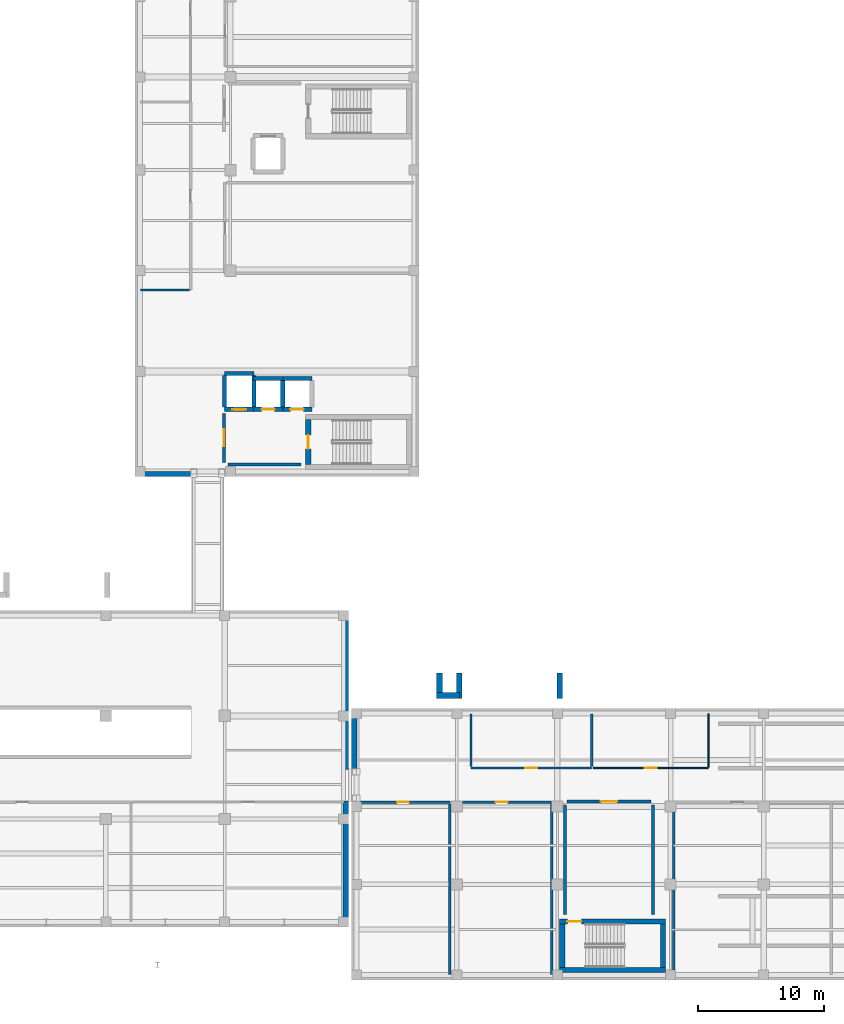
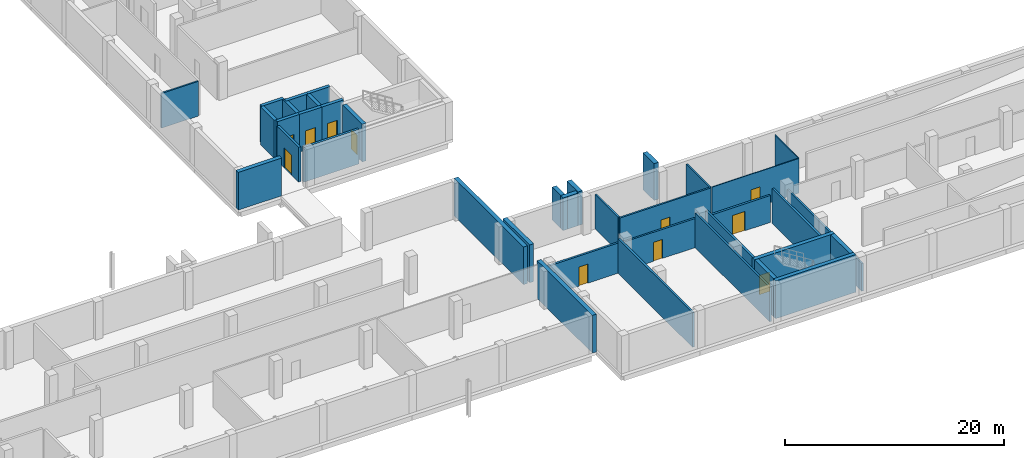
# One storey, part 18 of 31: 38 walls, 11 doors, 11 openings.
"""IFC4 building model written with IfcOpenShell, lengths in metres."""

from ifc_helpers import new_model, si_unit, direction, frame, frame_2d, origin, place, context, subcontext, project, spatial, rectangle, extrude, material, layer, layer_set, type_object, element, fill, save


model = new_model("IFC4")

# Units and contexts
model_context = context("Model", 3, precision=1e-05, world=origin(), true_north=direction((0.0, 1.0)))
body_context = subcontext(model_context, "Body", "Model", "MODEL_VIEW")
ifc_project = project(units=[si_unit("LENGTHUNIT", "METRE"), si_unit("AREAUNIT", "SQUARE_METRE"), si_unit("VOLUMEUNIT", "CUBIC_METRE"), si_unit("PLANEANGLEUNIT", "RADIAN"), si_unit("MASSUNIT", "GRAM", prefix="KILO")], contexts=[model_context])

# Site, building, storey
site_placement = place(None, origin())
site = spatial("IfcSite", under=ifc_project, at=site_placement, CompositionType="ELEMENT")
building_placement = place(site_placement, origin())
building = spatial("IfcBuilding", under=site, at=building_placement, Name="Qalavern Law Courts", CompositionType="ELEMENT")
storey_placement = place(building_placement, frame((0.0, 0.0, -4.199951171875)))
storey = spatial("IfcBuildingStorey", under=building, at=storey_placement, Name="B1", CompositionType="ELEMENT", Elevation=-4.199951171875)

# Walls
ifc_material_1 = material(Name="Concrete C35/45", Category="concrete")
ifc_layer_1 = layer(ifc_material_1, 0.429931640625)
ifc_layer_set_1 = layer_set([ifc_layer_1], Name="Concrete C35/45")
wall_type_1 = type_object("IfcWallType", Name="ENV-EW-RET430", PredefinedType="SOLIDWALL", material=ifc_layer_set_1)
wall_1_placement = place(storey_placement, frame((100.985107421875, 5.199951171875, 0.0), z_axis=(0.0, 0.0, 1.0), x_axis=(0.0, 1.0, 0.0)))
element("IfcWall", 1, at=wall_1_placement, inside=storey, type_object=wall_type_1, Name="V2 basement retaining wall B1 east", PredefinedType="SOLIDWALL", context=body_context, shape_type="SweptSolid", body=[
    extrude(rectangle(XDim=10.050048828125, YDim=0.429931640625, at=frame_2d((5.02490234375, 0.0))), origin(), (0.0, 0.0, 1.0), 4.199951171875),
])
wall_2_placement = place(storey_placement, frame((100.985107421875, 17.75, 0.0), z_axis=(0.0, 0.0, 1.0), x_axis=(0.0, 1.0, 0.0)))
element("IfcWall", 2, at=wall_2_placement, inside=storey, type_object=wall_type_1, Name="V2 basement retaining wall B1 east", PredefinedType="SOLIDWALL", context=body_context, shape_type="SweptSolid", body=[
    extrude(rectangle(XDim=12.64990234375, YDim=0.429931640625, at=frame_2d((6.324951171875, 0.0))), origin(), (0.0, 0.0, 1.0), 4.199951171875),
])
wall_3_placement = place(storey_placement, frame((84.199951171875, 41.235107421875, 0.0), z_axis=(0.0, 0.0, 1.0), x_axis=(1.0, 0.0, 0.0)))
element("IfcWall", 3, at=wall_3_placement, inside=storey, type_object=wall_type_1, Name="V4 basement retaining wall B1 south", PredefinedType="SOLIDWALL", context=body_context, shape_type="SweptSolid", body=[
    extrude(rectangle(XDim=4.550048828125, YDim=0.429931640625, at=frame_2d((2.27490234375, 0.0))), origin(), (0.0, 0.0, 1.0), 4.199951171875),
])
wall_4_placement = place(storey_placement, frame((101.635009765625, 22.60009765625, 0.0), z_axis=(0.0, 0.0, 1.0), x_axis=(0.0, -1.0, 0.0)))
element("IfcWall", 4, at=wall_4_placement, inside=storey, type_object=wall_type_1, Name="V6 basement retaining wall B1 west", PredefinedType="SOLIDWALL", context=body_context, shape_type="SweptSolid", body=[
    extrude(rectangle(XDim=4.85009765625, YDim=0.429931640625, at=frame_2d((2.425048828125, 0.0))), origin(), (0.0, 0.0, 1.0), 4.199951171875),
])

# Wall, opening, door
ifc_material_2 = material(Name="Concrete C45/55", Category="concrete")
ifc_layer_2 = layer(ifc_material_2, 0.4150390625)
ifc_layer_set_2 = layer_set([ifc_layer_2], Name="Concrete C45/55")
wall_type_2 = type_object("IfcWallType", Name="INT-CW-415", PredefinedType="SHEAR", material=ifc_layer_set_2)
wall_5_placement = place(storey_placement, frame((97.992431640625, 45.550048828125, 0.0), z_axis=(0.0, 0.0, 1.0), x_axis=(0.0, -1.0, 0.0)))
wall_5 = element("IfcWall", 5, at=wall_5_placement, inside=storey, type_object=wall_type_2, Name="Core K1A stair shear wall B1 west", PredefinedType="SHEAR", context=body_context, shape_type="SweptSolid", body=[
    extrude(rectangle(XDim=3.550048828125, YDim=0.4150390625, at=frame_2d((1.77490234375, 0.0))), origin(), (0.0, 0.0, 1.0), 4.199951171875),
])
opening_1_placement = place(wall_5_placement, frame((1.22509765625, 0.0, 0.0)))
opening_1 = element("IfcOpeningElement", 6, at=opening_1_placement, cuts=wall_5, Name="Opening B1-D003", PredefinedType="OPENING", context=body_context, shape_type="SweptSolid", body=[
    extrude(rectangle(XDim=1.10009765625, YDim=2.14990234375, at=frame_2d((0.550048828125, 1.074951171875))), frame((0.0, 0.222412109375, 0.0), z_axis=(0.0, -1.0, 0.0), x_axis=(1.0, 0.0, 0.0)), (0.0, 0.0, 1.0), 0.44482421875),
])
ifc_material_3 = material(Name="Steel fire-rated stair enclosure door", Category="steel")
door_type_1 = type_object("IfcDoorType", Name="INT-FD-1100x2150", OperationType="NOTDEFINED", PredefinedType="DOOR", material=ifc_material_3)
door_1_placement = place(opening_1_placement, frame((1.10009765625, 0.0, 0.0), z_axis=(0.0, 0.0, 1.0), x_axis=(-1.0, 0.0, 0.0)))
door_1 = element("IfcDoor", 7, at=door_1_placement, inside=storey, type_object=door_type_1, Name="Stair K1A fire door B1", OperationType="SINGLE_SWING_RIGHT", OverallHeight=2.14990234375, OverallWidth=1.10009765625, PredefinedType="DOOR", context=body_context, shape_type="SweptSolid", body=[
    extrude(rectangle(XDim=1.10009765625, YDim=2.14990234375, at=frame_2d((0.550048828125, 1.074951171875))), frame((0.0, 0.02490234375, 0.0), z_axis=(0.0, -1.0, 0.0), x_axis=(1.0, 0.0, 0.0)), (0.0, 0.0, 1.0), 0.050048828125),
])
fill(opening_1, door_1)

# Walls
wall_6_placement = place(storey_placement, frame((117.985107421875, 1.79248046875, 0.0), z_axis=(0.0, 0.0, 1.0), x_axis=(1.0, 0.0, 0.0)))
element("IfcWall", 8, at=wall_6_placement, inside=storey, type_object=wall_type_2, Name="Core K5 stair shear wall B1 south", PredefinedType="SHEAR", context=body_context, shape_type="SweptSolid", body=[
    extrude(rectangle(XDim=8.429931640625, YDim=0.4150390625, at=frame_2d((4.21484375, 0.0))), origin(), (0.0, 0.0, 1.0), 4.199951171875),
])
wall_7_placement = place(storey_placement, frame((126.20751953125, 2.0, 0.0), z_axis=(0.0, 0.0, 1.0), x_axis=(0.0, 1.0, 0.0)))
element("IfcWall", 9, at=wall_7_placement, inside=storey, type_object=wall_type_2, Name="Core K5 stair shear wall B1 east", PredefinedType="SHEAR", context=body_context, shape_type="SweptSolid", body=[
    extrude(rectangle(XDim=3.449951171875, YDim=0.4150390625, at=frame_2d((1.72509765625, 0.0))), origin(), (0.0, 0.0, 1.0), 4.199951171875),
])

# Wall, opening, door
wall_8_placement = place(storey_placement, frame((126.4150390625, 5.657470703125, 0.0), z_axis=(0.0, 0.0, 1.0), x_axis=(-1.0, 0.0, 0.0)))
wall_8 = element("IfcWall", 10, at=wall_8_placement, inside=storey, type_object=wall_type_2, Name="Core K5 stair shear wall B1 north", PredefinedType="SHEAR", context=body_context, shape_type="SweptSolid", body=[
    extrude(rectangle(XDim=8.429931640625, YDim=0.4150390625, at=frame_2d((4.21484375, 0.0))), origin(), (0.0, 0.0, 1.0), 4.199951171875),
])
opening_2_placement = place(wall_8_placement, frame((6.715087890625, 0.0, 0.0)))
opening_2 = element("IfcOpeningElement", 11, at=opening_2_placement, cuts=wall_8, Name="Opening B1-D103", PredefinedType="OPENING", context=body_context, shape_type="SweptSolid", body=[
    extrude(rectangle(XDim=1.10009765625, YDim=2.14990234375, at=frame_2d((0.550048828125, 1.074951171875))), frame((0.0, 0.222412109375, 0.0), z_axis=(0.0, -1.0, 0.0), x_axis=(1.0, 0.0, 0.0)), (0.0, 0.0, 1.0), 0.44482421875),
])
door_2_placement = place(opening_2_placement, frame((1.10009765625, 0.0, 0.0), z_axis=(0.0, 0.0, 1.0), x_axis=(-1.0, 0.0, 0.0)))
door_2 = element("IfcDoor", 12, at=door_2_placement, inside=storey, type_object=door_type_1, Name="Stair K5 fire door B1", OperationType="SINGLE_SWING_RIGHT", OverallHeight=2.14990234375, OverallWidth=1.10009765625, PredefinedType="DOOR", context=body_context, shape_type="SweptSolid", body=[
    extrude(rectangle(XDim=1.10009765625, YDim=2.14990234375, at=frame_2d((0.550048828125, 1.074951171875))), frame((0.0, 0.02490234375, 0.0), z_axis=(0.0, -1.0, 0.0), x_axis=(1.0, 0.0, 0.0)), (0.0, 0.0, 1.0), 0.050048828125),
])
fill(opening_2, door_2)

# Wall
wall_9_placement = place(storey_placement, frame((118.1923828125, 5.449951171875, 0.0), z_axis=(0.0, 0.0, 1.0), x_axis=(0.0, -1.0, 0.0)))
element("IfcWall", 13, at=wall_9_placement, inside=storey, type_object=wall_type_2, Name="Core K5 stair shear wall B1 west", PredefinedType="SHEAR", context=body_context, shape_type="SweptSolid", body=[
    extrude(rectangle(XDim=3.449951171875, YDim=0.4150390625, at=frame_2d((1.72509765625, 0.0))), origin(), (0.0, 0.0, 1.0), 4.199951171875),
])

# Wall, opening, door
ifc_material_4 = material(Name="Concrete C40/50", Category="concrete")
ifc_layer_3 = layer(ifc_material_4, 0.22509765625)
ifc_layer_set_3 = layer_set([ifc_layer_3], Name="Concrete C40/50")
wall_type_3 = type_object("IfcWallType", Name="INT-FW-225", PredefinedType="PARTITIONING", material=ifc_layer_set_3)
wall_10_placement = place(storey_placement, frame((118.550048828125, 15.199951171875, 0.0), z_axis=(0.0, 0.0, 1.0), x_axis=(1.0, 0.0, 0.0)))
wall_10 = element("IfcWall", 14, at=wall_10_placement, inside=storey, type_object=wall_type_3, Name="Core K5 firefighting/stair lobby fire wall B1", PredefinedType="PARTITIONING", context=body_context, shape_type="SweptSolid", body=[
    extrude(rectangle(XDim=6.699951171875, YDim=0.22509765625, at=frame_2d((3.35009765625, 0.0))), origin(), (0.0, 0.0, 1.0), 2.989990234375),
])
opening_3_placement = place(wall_10_placement, frame((2.699951171875, 0.0, 0.0)))
opening_3 = element("IfcOpeningElement", 15, at=opening_3_placement, cuts=wall_10, Name="Opening B1-D104", PredefinedType="OPENING", context=body_context, shape_type="SweptSolid", body=[
    extrude(rectangle(XDim=1.300048828125, YDim=2.14990234375, at=frame_2d((0.64990234375, 1.074951171875))), frame((0.0, 0.12744140625, 0.0), z_axis=(0.0, -1.0, 0.0), x_axis=(1.0, 0.0, 0.0)), (0.0, 0.0, 1.0), 0.2548828125),
])
ifc_material_5 = material(Name="Steel fire-rated frame and acoustic timber leaves", Category="steel")
door_type_2 = type_object("IfcDoorType", Name="INT-FD-1300x2150", OperationType="DOUBLE_DOOR_SINGLE_SWING", PredefinedType="DOOR", material=ifc_material_5)
door_3_placement = place(opening_3_placement, origin())
door_3 = element("IfcDoor", 16, at=door_3_placement, inside=storey, type_object=door_type_2, Name="Core K5 lobby fire door B1", OperationType="DOUBLE_DOOR_SINGLE_SWING", OverallHeight=2.14990234375, OverallWidth=1.300048828125, PredefinedType="DOOR", context=body_context, shape_type="SweptSolid", body=[
    extrude(rectangle(XDim=1.300048828125, YDim=2.14990234375, at=frame_2d((0.64990234375, 1.074951171875))), frame((0.0, 0.02490234375, 0.0), z_axis=(0.0, -1.0, 0.0), x_axis=(1.0, 0.0, 0.0)), (0.0, 0.0, 1.0), 0.050048828125),
])
fill(opening_3, door_3)

# Walls
for number, where, z_axis, x_axis, name in (
    (17, (118.39990234375, 6.199951171875, 0.0), (0.0, 0.0, 1.0), (0.0, 1.0, 0.0), "Core K5 lobby return wall B1 west"),
    (18, (125.39990234375, 6.199951171875, 0.0), (0.0, 0.0, 1.0), (0.0, 1.0, 0.0), "Core K5 lobby return wall B1 east"),
):
    element("IfcWall", number, at=place(storey_placement, frame(where, z_axis=z_axis, x_axis=x_axis)), inside=storey, type_object=wall_type_3, Name=name, PredefinedType="PARTITIONING", context=body_context, shape_type="SweptSolid", body=[
        extrude(rectangle(XDim=8.699951171875, YDim=0.22509765625, at=frame_2d((4.35009765625, 0.0))), origin(), (0.0, 0.0, 1.0), 3.85986328125),
    ])

# Wall, opening, door
ifc_layer_4 = layer(ifc_material_4, 0.2451171875)
ifc_layer_set_4 = layer_set([ifc_layer_4], Name="Concrete C40/50")
wall_type_4 = type_object("IfcWallType", Name="INT-FW-245", PredefinedType="PARTITIONING", material=ifc_layer_set_4)
wall_11_placement = place(storey_placement, frame((91.300048828125, 42.14990234375, 0.0), z_axis=(0.0, 0.0, 1.0), x_axis=(0.0, 1.0, 0.0)))
wall_11 = element("IfcWall", 19, at=wall_11_placement, inside=storey, type_object=wall_type_4, Name="Core K1A firefighting/stair lobby fire wall B1", PredefinedType="PARTITIONING", context=body_context, shape_type="SweptSolid", body=[
    extrude(rectangle(XDim=3.900146484375, YDim=0.2451171875, at=frame_2d((1.9501953125, 0.0))), origin(), (0.0, 0.0, 1.0), 3.85986328125),
])
opening_4_placement = place(wall_11_placement, frame((1.27490234375, 0.0, 0.0)))
opening_4 = element("IfcOpeningElement", 20, at=opening_4_placement, cuts=wall_11, Name="Opening B1-D004", PredefinedType="OPENING", context=body_context, shape_type="SweptSolid", body=[
    extrude(rectangle(XDim=1.35009765625, YDim=2.199951171875, at=frame_2d((0.675048828125, 1.10009765625))), frame((0.0, 0.137451171875, 0.0), z_axis=(0.0, -1.0, 0.0), x_axis=(1.0, 0.0, 0.0)), (0.0, 0.0, 1.0), 0.27490234375),
])
door_type_3 = type_object("IfcDoorType", Name="INT-FD-1350x2200", OperationType="DOUBLE_DOOR_SINGLE_SWING", PredefinedType="DOOR", material=ifc_material_5)
door_4_placement = place(opening_4_placement, origin())
door_4 = element("IfcDoor", 21, at=door_4_placement, inside=storey, type_object=door_type_3, Name="Core K1A lobby fire door B1", OperationType="DOUBLE_DOOR_SINGLE_SWING", OverallHeight=2.199951171875, OverallWidth=1.35009765625, PredefinedType="DOOR", context=body_context, shape_type="SweptSolid", body=[
    extrude(rectangle(XDim=1.35009765625, YDim=2.199951171875, at=frame_2d((0.675048828125, 1.10009765625))), frame((0.0, 0.02490234375, 0.0), z_axis=(0.0, -1.0, 0.0), x_axis=(1.0, 0.0, 0.0)), (0.0, 0.0, 1.0), 0.050048828125),
])
fill(opening_4, door_4)

# Wall
wall_12_placement = place(storey_placement, frame((91.60009765625, 42.0, 0.0), z_axis=(0.0, 0.0, 1.0), x_axis=(1.0, 0.0, 0.0)))
element("IfcWall", 22, at=wall_12_placement, inside=storey, type_object=wall_type_4, Name="Core K1A lobby return wall B1 south", PredefinedType="PARTITIONING", context=body_context, shape_type="SweptSolid", body=[
    extrude(rectangle(XDim=5.7998046875, YDim=0.2451171875, at=frame_2d((2.89990234375, 0.0))), origin(), (0.0, 0.0, 1.0), 3.85986328125),
])

# Wall, opening, door
ifc_material_6 = material(Name="Gypsum shaft/chase partition")
ifc_layer_5 = layer(ifc_material_6, 0.092041015625)
ifc_layer_set_5 = layer_set([ifc_layer_5], Name="Gypsum shaft/chase partition")
wall_type_5 = type_object("IfcWallType", Name="INT-PW-092", PredefinedType="PARTITIONING", material=ifc_layer_set_5)
wall_13_placement = place(storey_placement, frame((120.65087890625, 17.860107421875, 0.0), z_axis=(0.0, 0.0, 1.0), x_axis=(1.0, 0.0, 0.0)))
wall_13 = element("IfcWall", 23, at=wall_13_placement, inside=storey, type_object=wall_type_5, Name="Custody Reception and Holding Cell corridor partition B1", PredefinedType="PARTITIONING", context=body_context, shape_type="SweptSolid", body=[
    extrude(rectangle(XDim=9.1591796875, YDim=0.092041015625, at=frame_2d((4.57958984375, 0.0))), origin(), (0.0, 0.0, 1.0), 3.85986328125),
])
opening_5_placement = place(wall_13_placement, frame((4.1044921875, 0.0, 0.0)))
opening_5 = element("IfcOpeningElement", 24, at=opening_5_placement, cuts=wall_13, Name="Opening B1-D410", PredefinedType="OPENING", context=body_context, shape_type="SweptSolid", body=[
    extrude(rectangle(XDim=0.949951171875, YDim=2.1201171875, at=frame_2d((0.47509765625, 1.06005859375))), frame((0.0, 0.06103515625, 0.0), z_axis=(0.0, -1.0, 0.0), x_axis=(1.0, 0.0, 0.0)), (0.0, 0.0, 1.0), 0.121826171875),
])
ifc_material_7 = material(Name="Heavy steel Custody Holding Cell door", Category="steel")
door_type_4 = type_object("IfcDoorType", Name="INT-ID-950x2120", OperationType="NOTDEFINED", PredefinedType="DOOR", material=ifc_material_7)
door_5_placement = place(opening_5_placement, origin())
door_5 = element("IfcDoor", 25, at=door_5_placement, inside=storey, type_object=door_type_4, Name="Custody Reception and Holding Cell door B1", OperationType="SINGLE_SWING_LEFT", OverallHeight=2.1201171875, OverallWidth=0.949951171875, PredefinedType="DOOR", context=body_context, shape_type="SweptSolid", body=[
    extrude(rectangle(XDim=0.949951171875, YDim=2.1201171875, at=frame_2d((0.47509765625, 1.06005859375))), frame((0.0, 0.02490234375, 0.0), z_axis=(0.0, -1.0, 0.0), x_axis=(1.0, 0.0, 0.0)), (0.0, 0.0, 1.0), 0.050048828125),
])
fill(opening_5, door_5)

# Walls
wall_14_placement = place(storey_placement, frame((129.81005859375, 17.926025390625, 0.0), z_axis=(0.0, 0.0, 1.0), x_axis=(0.0, 1.0, 0.0)))
element("IfcWall", 26, at=wall_14_placement, inside=storey, type_object=wall_type_5, Name="Custody Reception and Holding Cell cross partition B1 east", PredefinedType="PARTITIONING", context=body_context, shape_type="SweptSolid", body=[
    extrude(rectangle(XDim=4.23388671875, YDim=0.092041015625, at=frame_2d((2.116943359375, 0.0))), origin(), (0.0, 0.0, 1.0), 3.85986328125),
])
ifc_material_8 = material(Name="Gypsum acoustic stud partition")
ifc_layer_6 = layer(ifc_material_8, 0.174072265625)
ifc_layer_set_6 = layer_set([ifc_layer_6], Name="Gypsum acoustic stud partition")
wall_type_6 = type_object("IfcWallType", Name="INT-PW-174", PredefinedType="PARTITIONING", material=ifc_layer_set_6)
wall_15_placement = place(storey_placement, frame((84.639892578125, 55.8779296875, 0.0), z_axis=(0.0, 0.0, 1.0), x_axis=(1.0, 0.0, 0.0)))
element("IfcWall", 27, at=wall_15_placement, inside=storey, type_object=wall_type_6, Name="Commercial Registry Archives cross partition B1 south", PredefinedType="PARTITIONING", context=body_context, shape_type="SweptSolid", body=[
    extrude(rectangle(XDim=3.89306640625, YDim=0.174072265625, at=frame_2d((1.946533203125, 0.0))), origin(), (0.0, 0.0, 1.0), 3.85986328125),
])

# Wall, opening, door
wall_16_placement = place(storey_placement, frame((110.94189453125, 17.860107421875, 0.0), z_axis=(0.0, 0.0, 1.0), x_axis=(1.0, 0.0, 0.0)))
wall_16 = element("IfcWall", 28, at=wall_16_placement, inside=storey, type_object=wall_type_6, Name="Secure Sallyport Dock corridor partition B1", PredefinedType="PARTITIONING", context=body_context, shape_type="SweptSolid", body=[
    extrude(rectangle(XDim=9.589111328125, YDim=0.174072265625, at=frame_2d((4.79443359375, 0.0))), origin(), (0.0, 0.0, 1.0), 3.85986328125),
])
opening_6_placement = place(wall_16_placement, frame((4.319580078125, 0.0, 0.0)))
opening_6 = element("IfcOpeningElement", 29, at=opening_6_placement, cuts=wall_16, Name="Opening B1-D409", PredefinedType="OPENING", context=body_context, shape_type="SweptSolid", body=[
    extrude(rectangle(XDim=0.949951171875, YDim=2.1201171875, at=frame_2d((0.47509765625, 1.06005859375))), frame((0.0, 0.10205078125, 0.0), z_axis=(0.0, -1.0, 0.0), x_axis=(1.0, 0.0, 0.0)), (0.0, 0.0, 1.0), 0.203857421875),
])
door_6_placement = place(opening_6_placement, origin())
door_6 = element("IfcDoor", 30, at=door_6_placement, inside=storey, type_object=door_type_4, Name="Secure Sallyport Dock door B1", OperationType="SINGLE_SWING_RIGHT", OverallHeight=2.1201171875, OverallWidth=0.949951171875, PredefinedType="DOOR", context=body_context, shape_type="SweptSolid", body=[
    extrude(rectangle(XDim=0.949951171875, YDim=2.1201171875, at=frame_2d((0.47509765625, 1.06005859375))), frame((0.0, 0.02490234375, 0.0), z_axis=(0.0, -1.0, 0.0), x_axis=(1.0, 0.0, 0.0)), (0.0, 0.0, 1.0), 0.050048828125),
])
fill(opening_6, door_6)

# Walls
for number, where, z_axis, x_axis, name in (
    (31, (110.94189453125, 17.967041015625, 0.0), (0.0, 0.0, 1.0), (0.0, 1.0, 0.0), "Secure Sallyport Dock cross partition B1 west"),
    (32, (120.531005859375, 17.967041015625, 0.0), (0.0, 0.0, 1.0), (0.0, 1.0, 0.0), "Secure Sallyport Dock cross partition B1 east"),
):
    element("IfcWall", number, at=place(storey_placement, frame(where, z_axis=z_axis, x_axis=x_axis)), inside=storey, type_object=wall_type_6, Name=name, PredefinedType="PARTITIONING", context=body_context, shape_type="SweptSolid", body=[
        extrude(rectangle(XDim=4.19287109375, YDim=0.174072265625, at=frame_2d((2.096435546875, 0.0))), origin(), (0.0, 0.0, 1.0), 3.85986328125),
    ])
ifc_layer_7 = layer(ifc_material_8, 0.18603515625)
ifc_layer_set_7 = layer_set([ifc_layer_7], Name="Gypsum acoustic stud partition")
wall_type_7 = type_object("IfcWallType", Name="INT-PW-186", PredefinedType="PARTITIONING", material=ifc_layer_set_7)
wall_17_placement = place(storey_placement, frame((127.0400390625, 1.43994140625, 0.0), z_axis=(0.0, 0.0, 1.0), x_axis=(0.0, 1.0, 0.0)))
element("IfcWall", 33, at=wall_17_placement, inside=storey, type_object=wall_type_7, Name="Secure Sallyport Dock cross partition B1 west", PredefinedType="PARTITIONING", context=body_context, shape_type="SweptSolid", body=[
    extrude(rectangle(XDim=13.587158203125, YDim=0.18603515625, at=frame_2d((6.79345703125, 0.0))), origin(), (0.0, 0.0, 1.0), 3.08984375),
])

# Wall, opening, door
ifc_material_9 = material(Name="Gypsum acoustic double-stud partition")
ifc_layer_8 = layer(ifc_material_9, 0.197998046875)
ifc_layer_set_8 = layer_set([ifc_layer_8], Name="Gypsum acoustic double-stud partition")
wall_type_8 = type_object("IfcWallType", Name="INT-PW-198", PredefinedType="PARTITIONING", material=ifc_layer_set_8)
wall_18_placement = place(storey_placement, frame((109.364990234375, 15.139892578125, 0.0), z_axis=(0.0, 0.0, 1.0), x_axis=(1.0, 0.0, 0.0)))
wall_18 = element("IfcWall", 34, at=wall_18_placement, inside=storey, type_object=wall_type_8, Name="Custody Reception and Holding Cell corridor partition B1", PredefinedType="PARTITIONING", context=body_context, shape_type="SweptSolid", body=[
    extrude(rectangle(XDim=7.9951171875, YDim=0.197998046875, at=frame_2d((3.99755859375, 0.0))), origin(), (0.0, 0.0, 1.0), 3.239990234375),
])
opening_7_placement = place(wall_18_placement, frame((3.5224609375, 0.0, 0.0)))
opening_7 = element("IfcOpeningElement", 35, at=opening_7_placement, cuts=wall_18, Name="Opening B1-D408", PredefinedType="OPENING", context=body_context, shape_type="SweptSolid", body=[
    extrude(rectangle(XDim=0.949951171875, YDim=2.1201171875, at=frame_2d((0.47509765625, 1.06005859375))), frame((0.0, 0.11376953125, 0.0), z_axis=(0.0, -1.0, 0.0), x_axis=(1.0, 0.0, 0.0)), (0.0, 0.0, 1.0), 0.227783203125),
])
door_7_placement = place(opening_7_placement, frame((0.949951171875, 0.0, 0.0), z_axis=(0.0, 0.0, 1.0), x_axis=(-1.0, 0.0, 0.0)))
door_7 = element("IfcDoor", 36, at=door_7_placement, inside=storey, type_object=door_type_4, Name="Custody Reception and Holding Cell door B1", OperationType="SINGLE_SWING_LEFT", OverallHeight=2.1201171875, OverallWidth=0.949951171875, PredefinedType="DOOR", context=body_context, shape_type="SweptSolid", body=[
    extrude(rectangle(XDim=0.949951171875, YDim=2.1201171875, at=frame_2d((0.47509765625, 1.06005859375))), frame((0.0, 0.02490234375, 0.0), z_axis=(0.0, -1.0, 0.0), x_axis=(1.0, 0.0, 0.0)), (0.0, 0.0, 1.0), 0.050048828125),
])
fill(opening_7, door_7)

# Wall
wall_19_placement = place(storey_placement, frame((117.360107421875, 1.43994140625, 0.0), z_axis=(0.0, 0.0, 1.0), x_axis=(0.0, 1.0, 0.0)))
element("IfcWall", 37, at=wall_19_placement, inside=storey, type_object=wall_type_8, Name="Custody Reception and Holding Cell cross partition B1 east", PredefinedType="PARTITIONING", context=body_context, shape_type="SweptSolid", body=[
    extrude(rectangle(XDim=13.5810546875, YDim=0.197998046875, at=frame_2d((6.79052734375, 0.0))), origin(), (0.0, 0.0, 1.0), 3.85986328125),
])

# Wall, opening, door
ifc_layer_9 = layer(ifc_material_9, 0.2119140625)
ifc_layer_set_9 = layer_set([ifc_layer_9], Name="Gypsum acoustic double-stud partition")
wall_type_9 = type_object("IfcWallType", Name="INT-PW-212", PredefinedType="PARTITIONING", material=ifc_layer_set_9)
wall_20_placement = place(storey_placement, frame((101.800048828125, 15.139892578125, 0.0), z_axis=(0.0, 0.0, 1.0), x_axis=(1.0, 0.0, 0.0)))
wall_20 = element("IfcWall", 38, at=wall_20_placement, inside=storey, type_object=wall_type_9, Name="Secure Sallyport Dock corridor partition B1", PredefinedType="PARTITIONING", context=body_context, shape_type="SweptSolid", body=[
    extrude(rectangle(XDim=7.445068359375, YDim=0.2119140625, at=frame_2d((3.72265625, 0.0))), origin(), (0.0, 0.0, 1.0), 3.349853515625),
])
opening_8_placement = place(wall_20_placement, frame((3.24755859375, 0.0, 0.0)))
opening_8 = element("IfcOpeningElement", 39, at=opening_8_placement, cuts=wall_20, Name="Opening B1-D407", PredefinedType="OPENING", context=body_context, shape_type="SweptSolid", body=[
    extrude(rectangle(XDim=0.949951171875, YDim=2.1201171875, at=frame_2d((0.47509765625, 1.06005859375))), frame((0.0, 0.120849609375, 0.0), z_axis=(0.0, -1.0, 0.0), x_axis=(1.0, 0.0, 0.0)), (0.0, 0.0, 1.0), 0.24169921875),
])
door_8_placement = place(opening_8_placement, frame((0.949951171875, 0.0, 0.0), z_axis=(0.0, 0.0, 1.0), x_axis=(-1.0, 0.0, 0.0)))
door_8 = element("IfcDoor", 40, at=door_8_placement, inside=storey, type_object=door_type_4, Name="Secure Sallyport Dock door B1", OperationType="SINGLE_SWING_RIGHT", OverallHeight=2.1201171875, OverallWidth=0.949951171875, PredefinedType="DOOR", context=body_context, shape_type="SweptSolid", body=[
    extrude(rectangle(XDim=0.949951171875, YDim=2.1201171875, at=frame_2d((0.47509765625, 1.06005859375))), frame((0.0, 0.02490234375, 0.0), z_axis=(0.0, -1.0, 0.0), x_axis=(1.0, 0.0, 0.0)), (0.0, 0.0, 1.0), 0.050048828125),
])
fill(opening_8, door_8)

# Wall
wall_21_placement = place(storey_placement, frame((109.2451171875, 1.43994140625, 0.0), z_axis=(0.0, 0.0, 1.0), x_axis=(0.0, 1.0, 0.0)))
element("IfcWall", 41, at=wall_21_placement, inside=storey, type_object=wall_type_9, Name="Secure Sallyport Dock cross partition B1 east", PredefinedType="PARTITIONING", context=body_context, shape_type="SweptSolid", body=[
    extrude(rectangle(XDim=13.573974609375, YDim=0.2119140625, at=frame_2d((6.787109375, 0.0))), origin(), (0.0, 0.0, 1.0), 3.85986328125),
])

# Wall, opening, door
ifc_layer_10 = layer(ifc_material_2, 0.344970703125)
ifc_layer_set_10 = layer_set([ifc_layer_10], Name="Concrete C45/55")
wall_type_10 = type_object("IfcWallType", Name="INT-SW-345", PredefinedType="SHEAR", material=ifc_layer_set_10)
wall_22_placement = place(storey_placement, frame((91.327392578125, 46.37744140625, 0.0), z_axis=(0.0, 0.0, 1.0), x_axis=(1.0, 0.0, 0.0)))
wall_22 = element("IfcWall", 42, at=wall_22_placement, inside=storey, type_object=wall_type_10, Name="Lift LF-FF1 shaft wall B1 south", PredefinedType="SHEAR", context=body_context, shape_type="SweptSolid", body=[
    extrude(rectangle(XDim=2.34521484375, YDim=0.344970703125, at=frame_2d((1.172607421875, 0.0))), origin(), (0.0, 0.0, 1.0), 4.199951171875),
])
opening_9_placement = place(wall_22_placement, frame((0.62255859375, 0.0, 0.0)))
opening_9 = element("IfcOpeningElement", 43, at=opening_9_placement, cuts=wall_22, Name="Opening LD-LF-FF1-B1", PredefinedType="OPENING", context=body_context, shape_type="SweptSolid", body=[
    extrude(rectangle(XDim=1.10009765625, YDim=2.159912109375, at=frame_2d((0.550048828125, 1.080078125))), frame((0.0, 0.1875, 0.0), z_axis=(0.0, -1.0, 0.0), x_axis=(1.0, 0.0, 0.0)), (0.0, 0.0, 1.0), 0.374755859375),
])
ifc_material_10 = material(Name="Stainless steel firefighting lift sliding landing door", Category="steel")
door_type_5 = type_object("IfcDoorType", Name="INT-LD-1100x2160", OperationType="DOUBLE_DOOR_SLIDING", PredefinedType="DOOR", material=ifc_material_10)
door_9_placement = place(opening_9_placement, origin())
door_9 = element("IfcDoor", 44, at=door_9_placement, inside=storey, type_object=door_type_5, Name="Lift LF-FF1 sliding landing door B1", OperationType="DOUBLE_DOOR_SLIDING", OverallHeight=2.159912109375, OverallWidth=1.10009765625, PredefinedType="DOOR", context=body_context, shape_type="SweptSolid", body=[
    extrude(rectangle(XDim=1.10009765625, YDim=2.159912109375, at=frame_2d((0.550048828125, 1.080078125))), frame((0.0, 0.02490234375, 0.0), z_axis=(0.0, -1.0, 0.0), x_axis=(1.0, 0.0, 0.0)), (0.0, 0.0, 1.0), 0.050048828125),
])
fill(opening_9, door_9)

# Walls
wall_23_placement = place(storey_placement, frame((93.672607421875, 46.550048828125, 0.0), z_axis=(0.0, 0.0, 1.0), x_axis=(0.0, 1.0, 0.0)))
element("IfcWall", 45, at=wall_23_placement, inside=storey, type_object=wall_type_10, Name="Lift LF-FF1 shaft wall B1 east", PredefinedType="SHEAR", context=body_context, shape_type="SweptSolid", body=[
    extrude(rectangle(XDim=2.5, YDim=0.344970703125, at=frame_2d((1.25, 0.0))), origin(), (0.0, 0.0, 1.0), 4.199951171875),
])
wall_24_placement = place(storey_placement, frame((93.672607421875, 49.222412109375, 0.0), z_axis=(0.0, 0.0, 1.0), x_axis=(-1.0, 0.0, 0.0)))
element("IfcWall", 46, at=wall_24_placement, inside=storey, type_object=wall_type_10, Name="Lift LF-FF1 shaft wall B1 north", PredefinedType="SHEAR", context=body_context, shape_type="SweptSolid", body=[
    extrude(rectangle(XDim=2.34521484375, YDim=0.344970703125, at=frame_2d((1.172607421875, 0.0))), origin(), (0.0, 0.0, 1.0), 4.199951171875),
])
wall_25_placement = place(storey_placement, frame((91.327392578125, 49.050048828125, 0.0), z_axis=(0.0, 0.0, 1.0), x_axis=(0.0, -1.0, 0.0)))
element("IfcWall", 47, at=wall_25_placement, inside=storey, type_object=wall_type_10, Name="Lift LF-FF1 shaft wall B1 west", PredefinedType="SHEAR", context=body_context, shape_type="SweptSolid", body=[
    extrude(rectangle(XDim=2.5, YDim=0.344970703125, at=frame_2d((1.25, 0.0))), origin(), (0.0, 0.0, 1.0), 4.199951171875),
])

# Wall, opening, door
wall_26_placement = place(storey_placement, frame((93.62744140625, 46.37744140625, 0.0), z_axis=(0.0, 0.0, 1.0), x_axis=(1.0, 0.0, 0.0)))
wall_26 = element("IfcWall", 48, at=wall_26_placement, inside=storey, type_object=wall_type_10, Name="Lift LF-P1 shaft wall B1 south", PredefinedType="SHEAR", context=body_context, shape_type="SweptSolid", body=[
    extrude(rectangle(XDim=2.344970703125, YDim=0.344970703125, at=frame_2d((1.17236328125, 0.0))), origin(), (0.0, 0.0, 1.0), 4.199951171875),
])
opening_10_placement = place(wall_26_placement, frame((0.6474609375, 0.0, 0.0)))
opening_10 = element("IfcOpeningElement", 49, at=opening_10_placement, cuts=wall_26, Name="Opening LD-LF-P1-B1", PredefinedType="OPENING", context=body_context, shape_type="SweptSolid", body=[
    extrude(rectangle(XDim=1.050048828125, YDim=2.14990234375, at=frame_2d((0.52490234375, 1.074951171875))), frame((0.0, 0.1875, 0.0), z_axis=(0.0, -1.0, 0.0), x_axis=(1.0, 0.0, 0.0)), (0.0, 0.0, 1.0), 0.374755859375),
])
ifc_material_11 = material(Name="Brushed stainless steel passenger lift sliding landing door", Category="steel")
door_type_6 = type_object("IfcDoorType", Name="INT-LD-1050x2150", OperationType="DOUBLE_DOOR_SLIDING", PredefinedType="DOOR", material=ifc_material_11)
door_10_placement = place(opening_10_placement, origin())
door_10 = element("IfcDoor", 50, at=door_10_placement, inside=storey, type_object=door_type_6, Name="Lift LF-P1 sliding landing door B1", OperationType="DOUBLE_DOOR_SLIDING", OverallHeight=2.14990234375, OverallWidth=1.050048828125, PredefinedType="DOOR", context=body_context, shape_type="SweptSolid", body=[
    extrude(rectangle(XDim=1.050048828125, YDim=2.14990234375, at=frame_2d((0.52490234375, 1.074951171875))), frame((0.0, 0.02490234375, 0.0), z_axis=(0.0, -1.0, 0.0), x_axis=(1.0, 0.0, 0.0)), (0.0, 0.0, 1.0), 0.050048828125),
])
fill(opening_10, door_10)

# Walls
wall_27_placement = place(storey_placement, frame((95.972412109375, 46.550048828125, 0.0), z_axis=(0.0, 0.0, 1.0), x_axis=(0.0, 1.0, 0.0)))
element("IfcWall", 51, at=wall_27_placement, inside=storey, type_object=wall_type_10, Name="Lift LF-P1 shaft wall B1 east", PredefinedType="SHEAR", context=body_context, shape_type="SweptSolid", body=[
    extrude(rectangle(XDim=2.099853515625, YDim=0.344970703125, at=frame_2d((1.0498046875, 0.0))), origin(), (0.0, 0.0, 1.0), 4.199951171875),
])
wall_28_placement = place(storey_placement, frame((95.972412109375, 48.822509765625, 0.0), z_axis=(0.0, 0.0, 1.0), x_axis=(-1.0, 0.0, 0.0)))
element("IfcWall", 52, at=wall_28_placement, inside=storey, type_object=wall_type_10, Name="Lift LF-P1 shaft wall B1 north", PredefinedType="SHEAR", context=body_context, shape_type="SweptSolid", body=[
    extrude(rectangle(XDim=2.344970703125, YDim=0.344970703125, at=frame_2d((1.17236328125, 0.0))), origin(), (0.0, 0.0, 1.0), 4.199951171875),
])

# Wall, opening, door
wall_29_placement = place(storey_placement, frame((95.927490234375, 46.37744140625, 0.0), z_axis=(0.0, 0.0, 1.0), x_axis=(1.0, 0.0, 0.0)))
wall_29 = element("IfcWall", 53, at=wall_29_placement, inside=storey, type_object=wall_type_10, Name="Lift LF-P2 shaft wall B1 south", PredefinedType="SHEAR", context=body_context, shape_type="SweptSolid", body=[
    extrude(rectangle(XDim=2.344970703125, YDim=0.344970703125, at=frame_2d((1.17236328125, 0.0))), origin(), (0.0, 0.0, 1.0), 4.199951171875),
])
opening_11_placement = place(wall_29_placement, frame((0.6474609375, 0.0, 0.0)))
opening_11 = element("IfcOpeningElement", 54, at=opening_11_placement, cuts=wall_29, Name="Opening LD-LF-P2-B1", PredefinedType="OPENING", context=body_context, shape_type="SweptSolid", body=[
    extrude(rectangle(XDim=1.050048828125, YDim=2.14990234375, at=frame_2d((0.52490234375, 1.074951171875))), frame((0.0, 0.1875, 0.0), z_axis=(0.0, -1.0, 0.0), x_axis=(1.0, 0.0, 0.0)), (0.0, 0.0, 1.0), 0.374755859375),
])
door_11_placement = place(opening_11_placement, origin())
door_11 = element("IfcDoor", 55, at=door_11_placement, inside=storey, type_object=door_type_6, Name="Lift LF-P2 sliding landing door B1", OperationType="DOUBLE_DOOR_SLIDING", OverallHeight=2.14990234375, OverallWidth=1.050048828125, PredefinedType="DOOR", context=body_context, shape_type="SweptSolid", body=[
    extrude(rectangle(XDim=1.050048828125, YDim=2.14990234375, at=frame_2d((0.52490234375, 1.074951171875))), frame((0.0, 0.02490234375, 0.0), z_axis=(0.0, -1.0, 0.0), x_axis=(1.0, 0.0, 0.0)), (0.0, 0.0, 1.0), 0.050048828125),
])
fill(opening_11, door_11)

# Walls
wall_30_placement = place(storey_placement, frame((98.2724609375, 48.822509765625, 0.0), z_axis=(0.0, 0.0, 1.0), x_axis=(-1.0, 0.0, 0.0)))
element("IfcWall", 56, at=wall_30_placement, inside=storey, type_object=wall_type_10, Name="Lift LF-P2 shaft wall B1 north", PredefinedType="SHEAR", context=body_context, shape_type="SweptSolid", body=[
    extrude(rectangle(XDim=2.344970703125, YDim=0.344970703125, at=frame_2d((1.17236328125, 0.0))), origin(), (0.0, 0.0, 1.0), 4.199951171875),
])
ifc_layer_11 = layer(ifc_material_1, 0.449951171875)
ifc_layer_set_11 = layer_set([ifc_layer_11], Name="Concrete C35/45")
wall_type_11 = type_object("IfcWallType", Name="STR-ABUT-450", PredefinedType="SOLIDWALL", material=ifc_layer_set_11)
wall_31_placement = place(storey_placement, frame((108.425048828125, 23.39990234375, 0.0), z_axis=(0.0, 0.0, 1.0), x_axis=(0.0, 1.0, 0.0)))
element("IfcWall", 57, at=wall_31_placement, inside=storey, type_object=wall_type_11, Name="Pedestrian ramp 2 foundation abutment wall 1 B1", PredefinedType="SOLIDWALL", context=body_context, shape_type="SweptSolid", body=[
    extrude(rectangle(XDim=2.0, YDim=0.449951171875, at=frame_2d((1.0, 0.0))), origin(), (0.0, 0.0, 1.0), 3.635009765625),
])
wall_32_placement = place(storey_placement, frame((110.0, 23.39990234375, 0.0), z_axis=(0.0, 0.0, 1.0), x_axis=(0.0, 1.0, 0.0)))
element("IfcWall", 58, at=wall_32_placement, inside=storey, type_object=wall_type_11, Name="Pedestrian ramp 2 foundation abutment wall 2 B1", PredefinedType="SOLIDWALL", context=body_context, shape_type="SweptSolid", body=[
    extrude(rectangle(XDim=2.0, YDim=0.449951171875, at=frame_2d((1.0, 0.0))), origin(), (0.0, 0.0, 1.0), 3.75),
])
wall_33_placement = place(storey_placement, frame((118.0, 23.39990234375, 0.0), z_axis=(0.0, 0.0, 1.0), x_axis=(0.0, 1.0, 0.0)))
element("IfcWall", 59, at=wall_33_placement, inside=storey, type_object=wall_type_11, Name="Pedestrian ramp 2 foundation abutment wall 3 B1", PredefinedType="SOLIDWALL", context=body_context, shape_type="SweptSolid", body=[
    extrude(rectangle(XDim=2.0, YDim=0.449951171875, at=frame_2d((1.0, 0.0))), origin(), (0.0, 0.0, 1.0), 4.099853515625),
])
wall_34_placement = place(storey_placement, frame((108.199951171875, 23.625, 0.0), z_axis=(0.0, 0.0, 1.0), x_axis=(1.0, 0.0, 0.0)))
element("IfcWall", 60, at=wall_34_placement, inside=storey, type_object=wall_type_11, Name="Pedestrian ramp 2 landing side wall B1", PredefinedType="SOLIDWALL", context=body_context, shape_type="SweptSolid", body=[
    extrude(rectangle(XDim=1.800048828125, YDim=0.449951171875, at=frame_2d((0.89990234375, 0.0))), origin(), (0.0, 0.0, 1.0), 3.635009765625),
])

save(model, "model.ifc")
